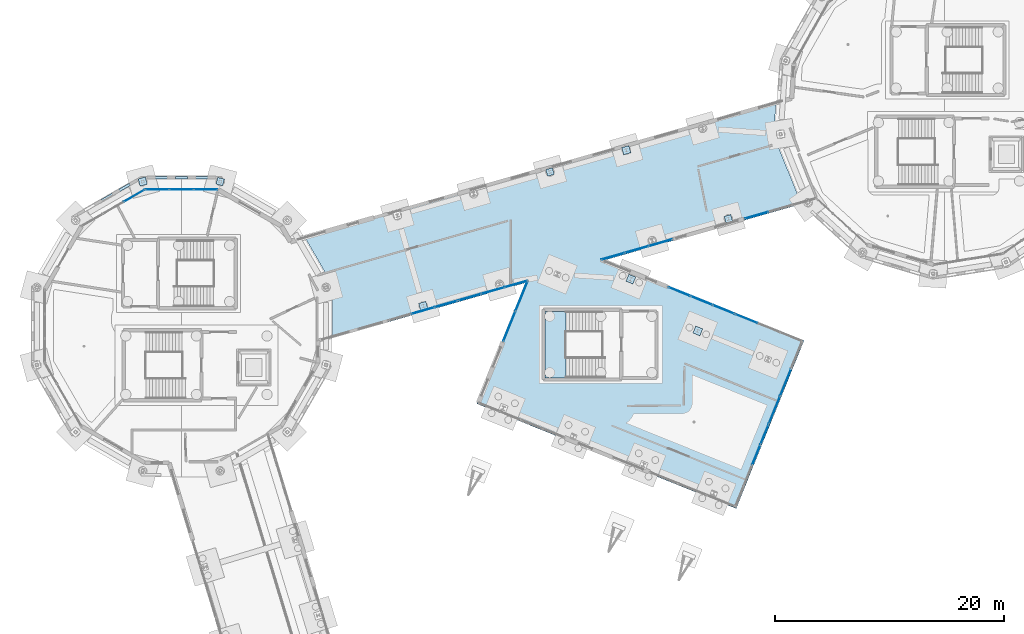
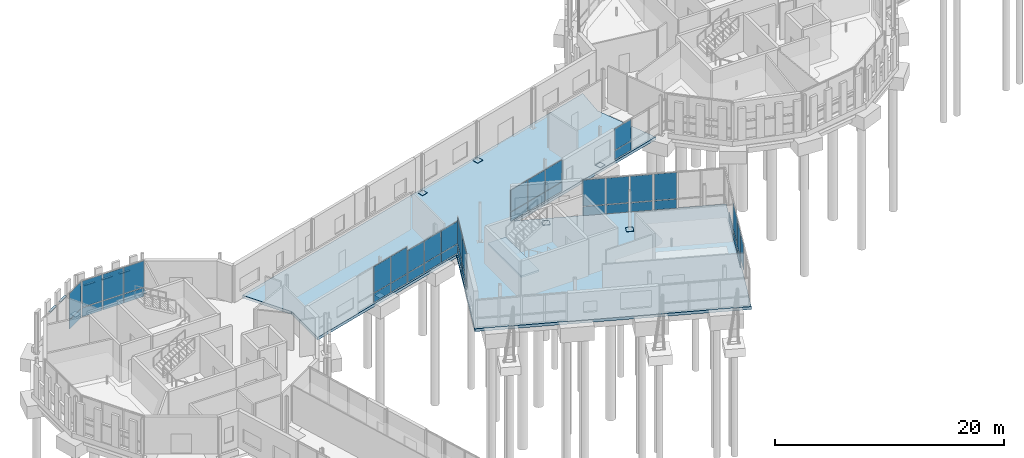
# One storey, part 68 of 113: 57 plates, 2 slabs, 12 elements without a shape of their own.
"""IFC4 building model written with IfcOpenShell, lengths in metres."""

from ifc_helpers import new_model, si_unit, direction, frame, origin, origin_2d, place, context, subcontext, project, spatial, polyline, rectangle, outline, extrude, material, layer, layer_set, type_object, element, aggregate, save


model = new_model("IFC4")

# Units and contexts
model_context = context("Model", 3, precision=1e-05, world=origin(), true_north=direction((0.0, 1.0)))
body_context = subcontext(model_context, "Body", "Model", "MODEL_VIEW")
ifc_project = project(units=[si_unit("LENGTHUNIT", "METRE"), si_unit("AREAUNIT", "SQUARE_METRE"), si_unit("VOLUMEUNIT", "CUBIC_METRE"), si_unit("PLANEANGLEUNIT", "RADIAN"), si_unit("MASSUNIT", "GRAM", prefix="KILO")], contexts=[model_context])

# Site, building, storey
site_placement = place(None, origin())
site = spatial("IfcSite", under=ifc_project, at=site_placement, CompositionType="ELEMENT")
building_placement = place(site_placement, origin())
building = spatial("IfcBuilding", under=site, at=building_placement, Name="Wrenclough Park School", CompositionType="ELEMENT")
storey_placement = place(building_placement, origin())
storey = spatial("IfcBuildingStorey", under=building, at=storey_placement, Name="L00", CompositionType="ELEMENT", Elevation=0.0)

# Curtain wall, plates
ifc_material_1 = material(Name="Thermally broken aluminium and low-e glass curtain wall", Category="aluminium")
curtain_wall_type_1 = type_object("IfcCurtainWallType", Name="ENV-CW-09", PredefinedType="USERDEFINED", material=ifc_material_1)
curtain_wall_1_placement = place(storey_placement, origin())
curtain_wall_1 = element("IfcCurtainWall", 1, at=curtain_wall_1_placement, inside=storey, type_object=curtain_wall_type_1, Name="L00 recessed curtain wall assembly 072", ObjectType="CURTAIN WALL", PredefinedType="USERDEFINED")
ifc_material_2 = material(Name="Double-glazed solar-control low-e glass", Category="glass")
ifc_layer_1 = layer(ifc_material_2, 0.02587890625)
ifc_layer_set_1 = layer_set([ifc_layer_1], Name="Double-glazed solar-control low-e glass")
plate_type_1 = type_object("IfcPlateType", Name="ENV-CWP-GL26", PredefinedType="CURTAIN_PANEL", material=ifc_layer_set_1)
plate_1_placement = place(storey_placement, frame((65.75244140625, 90.15283203125, 0.06005859375), z_axis=(0.0, 0.0, 1.0), x_axis=(0.927183906329, -0.3746064653, 0.0)))
plate_1 = element("IfcPlate", 2, at=plate_1_placement, type_object=plate_type_1, Name="CW-09 panel 1.1", PredefinedType="CURTAIN_PANEL", context=body_context, shape_type="SweptSolid", body=[
    extrude(rectangle(XDim=2.011962890625, YDim=0.02587890625, at=origin_2d()), origin(), (0.0, 0.0, 1.0), 0.9599609375),
])
plate_2_placement = place(storey_placement, frame((65.75244140625, 90.15283203125, 1.080078125), z_axis=(0.0, 0.0, 1.0), x_axis=(0.927183906329, -0.3746064653, 0.0)))
plate_2 = element("IfcPlate", 3, at=plate_2_placement, type_object=plate_type_1, Name="CW-09 panel 1.2", PredefinedType="CURTAIN_PANEL", context=body_context, shape_type="SweptSolid", body=[
    extrude(rectangle(XDim=2.011962890625, YDim=0.02587890625, at=origin_2d()), origin(), (0.0, 0.0, 1.0), 2.800048828125),
])
aggregate(curtain_wall_1, [plate_1, plate_2])

curtain_wall_type_2 = type_object("IfcCurtainWallType", Name="ENV-CW-10", PredefinedType="USERDEFINED", material=ifc_material_1)
curtain_wall_2_placement = place(storey_placement, origin())
curtain_wall_2 = element("IfcCurtainWall", 4, at=curtain_wall_2_placement, inside=storey, type_object=curtain_wall_type_2, Name="L00 recessed curtain wall assembly 009", ObjectType="CURTAIN WALL", PredefinedType="USERDEFINED")
ifc_material_3 = material(Name="Double-glazed acoustic low-e glass", Category="glass")
ifc_layer_2 = layer(ifc_material_3, 0.030029296875)
ifc_layer_set_2 = layer_set([ifc_layer_2], Name="Double-glazed acoustic low-e glass")
plate_type_2 = type_object("IfcPlateType", Name="ENV-CWP-GL30", PredefinedType="CURTAIN_PANEL", material=ifc_layer_set_2)
plate_3_placement = place(storey_placement, frame((12.37353515625, 100.865234375, 0.06005859375), z_axis=(0.0, 0.0, 1.0), x_axis=(0.86602591075, 0.499999121909, 0.0)))
plate_3 = element("IfcPlate", 5, at=plate_3_placement, type_object=plate_type_2, Name="CW-10 panel 3.1", PredefinedType="CURTAIN_PANEL", context=body_context, shape_type="SweptSolid", body=[
    extrude(rectangle(XDim=2.0341796875, YDim=0.030029296875, at=origin_2d()), origin(), (0.0, 0.0, 1.0), 0.9599609375),
])
plate_4_placement = place(storey_placement, frame((12.37353515625, 100.865234375, 1.080078125), z_axis=(0.0, 0.0, 1.0), x_axis=(0.86602591075, 0.499999121909, 0.0)))
plate_4 = element("IfcPlate", 6, at=plate_4_placement, type_object=plate_type_2, Name="CW-10 panel 3.2", PredefinedType="CURTAIN_PANEL", context=body_context, shape_type="SweptSolid", body=[
    extrude(rectangle(XDim=2.0341796875, YDim=0.030029296875, at=origin_2d()), origin(), (0.0, 0.0, 1.0), 2.800048828125),
])
aggregate(curtain_wall_2, [plate_3, plate_4])

curtain_wall_3_placement = place(storey_placement, origin())
curtain_wall_3 = element("IfcCurtainWall", 7, at=curtain_wall_3_placement, inside=storey, type_object=curtain_wall_type_2, Name="L00 recessed curtain wall assembly 073", ObjectType="CURTAIN WALL", PredefinedType="USERDEFINED")
plate_5_placement = place(storey_placement, frame((69.157470703125, 84.58154296875, 0.06494140625), z_axis=(0.0, 0.0, 1.0), x_axis=(-0.374589627082, -0.92719070923, 0.0)))
plate_5 = element("IfcPlate", 8, at=plate_5_placement, type_object=plate_type_2, Name="CW-10 panel 2.1", PredefinedType="CURTAIN_PANEL", context=body_context, shape_type="SweptSolid", body=[
    extrude(rectangle(XDim=2.525634765625, YDim=0.030029296875, at=origin_2d()), origin(), (0.0, 0.0, 1.0), 0.952392578125),
])
plate_6_placement = place(storey_placement, frame((68.193115234375, 82.194580078125, 0.06494140625), z_axis=(0.0, 0.0, 1.0), x_axis=(-0.374589627082, -0.92719070923, 0.0)))
plate_6 = element("IfcPlate", 9, at=plate_6_placement, type_object=plate_type_2, Name="CW-10 panel 3.1", PredefinedType="CURTAIN_PANEL", context=body_context, shape_type="SweptSolid", body=[
    extrude(rectangle(XDim=2.4931640625, YDim=0.030029296875, at=origin_2d()), origin(), (0.0, 0.0, 1.0), 0.952392578125),
])
plate_7_placement = place(storey_placement, frame((68.193115234375, 82.194580078125, 1.08251953125), z_axis=(0.0, 0.0, 1.0), x_axis=(-0.374589627082, -0.92719070923, 0.0)))
plate_7 = element("IfcPlate", 10, at=plate_7_placement, type_object=plate_type_2, Name="CW-10 panel 3.2", PredefinedType="CURTAIN_PANEL", context=body_context, shape_type="SweptSolid", body=[
    extrude(rectangle(XDim=2.4931640625, YDim=0.030029296875, at=origin_2d()), origin(), (0.0, 0.0, 1.0), 2.79248046875),
])
aggregate(curtain_wall_3, [plate_5, plate_6, plate_7])

curtain_wall_type_3 = type_object("IfcCurtainWallType", Name="ENV-CW-11", PredefinedType="USERDEFINED", material=ifc_material_1)
curtain_wall_4_placement = place(storey_placement, origin())
curtain_wall_4 = element("IfcCurtainWall", 11, at=curtain_wall_4_placement, inside=storey, type_object=curtain_wall_type_3, Name="L00 recessed curtain wall assembly 010", ObjectType="CURTAIN WALL", PredefinedType="USERDEFINED")
ifc_material_4 = material(Name="Triple-glazed senior-lab low-e glass", Category="glass")
ifc_layer_3 = layer(ifc_material_4, 0.033935546875)
ifc_layer_set_3 = layer_set([ifc_layer_3], Name="Triple-glazed senior-lab low-e glass")
plate_type_3 = type_object("IfcPlateType", Name="ENV-CWP-GL34", PredefinedType="CURTAIN_PANEL", material=ifc_layer_set_3)
plate_8_placement = place(storey_placement, frame((14.39208984375, 101.40576171875, 0.06494140625), z_axis=(0.0, 0.0, 1.0), x_axis=(1.0, 0.0, 0.0)))
plate_8 = element("IfcPlate", 12, at=plate_8_placement, type_object=plate_type_3, Name="CW-11 panel 1.1", PredefinedType="CURTAIN_PANEL", context=body_context, shape_type="SweptSolid", body=[
    extrude(rectangle(XDim=2.026611328125, YDim=0.033935546875, at=origin_2d()), origin(), (0.0, 0.0, 1.0), 0.952392578125),
])
plate_9_placement = place(storey_placement, frame((14.39208984375, 101.40576171875, 1.08251953125), z_axis=(0.0, 0.0, 1.0), x_axis=(1.0, 0.0, 0.0)))
plate_9 = element("IfcPlate", 13, at=plate_9_placement, type_object=plate_type_3, Name="CW-11 panel 1.2", PredefinedType="CURTAIN_PANEL", context=body_context, shape_type="SweptSolid", body=[
    extrude(rectangle(XDim=2.026611328125, YDim=0.033935546875, at=origin_2d()), origin(), (0.0, 0.0, 1.0), 2.79248046875),
])
plate_10_placement = place(storey_placement, frame((16.5, 101.40576171875, 0.06494140625), z_axis=(0.0, 0.0, 1.0), x_axis=(1.0, 0.0, 0.0)))
plate_10 = element("IfcPlate", 14, at=plate_10_placement, type_object=plate_type_3, Name="CW-11 panel 2.1", PredefinedType="CURTAIN_PANEL", context=body_context, shape_type="SweptSolid", body=[
    extrude(rectangle(XDim=2.05908203125, YDim=0.033935546875, at=origin_2d()), origin(), (0.0, 0.0, 1.0), 0.952392578125),
])
plate_11_placement = place(storey_placement, frame((16.5, 101.40576171875, 1.08251953125), z_axis=(0.0, 0.0, 1.0), x_axis=(1.0, 0.0, 0.0)))
plate_11 = element("IfcPlate", 15, at=plate_11_placement, type_object=plate_type_3, Name="CW-11 panel 2.2", PredefinedType="CURTAIN_PANEL", context=body_context, shape_type="SweptSolid", body=[
    extrude(rectangle(XDim=2.05908203125, YDim=0.033935546875, at=origin_2d()), origin(), (0.0, 0.0, 1.0), 2.79248046875),
])
plate_12_placement = place(storey_placement, frame((18.60791015625, 101.40576171875, 0.06494140625), z_axis=(0.0, 0.0, 1.0), x_axis=(1.0, 0.0, 0.0)))
plate_12 = element("IfcPlate", 16, at=plate_12_placement, type_object=plate_type_3, Name="CW-11 panel 3.1", PredefinedType="CURTAIN_PANEL", context=body_context, shape_type="SweptSolid", body=[
    extrude(rectangle(XDim=2.026611328125, YDim=0.033935546875, at=origin_2d()), origin(), (0.0, 0.0, 1.0), 0.952392578125),
])
plate_13_placement = place(storey_placement, frame((18.60791015625, 101.40576171875, 1.08251953125), z_axis=(0.0, 0.0, 1.0), x_axis=(1.0, 0.0, 0.0)))
plate_13 = element("IfcPlate", 17, at=plate_13_placement, type_object=plate_type_3, Name="CW-11 panel 3.2", PredefinedType="CURTAIN_PANEL", context=body_context, shape_type="SweptSolid", body=[
    extrude(rectangle(XDim=2.026611328125, YDim=0.033935546875, at=origin_2d()), origin(), (0.0, 0.0, 1.0), 2.79248046875),
])
aggregate(curtain_wall_4, [plate_8, plate_9, plate_10, plate_11, plate_12, plate_13])

curtain_wall_5_placement = place(storey_placement, origin())
curtain_wall_5 = element("IfcCurtainWall", 18, at=curtain_wall_5_placement, inside=storey, type_object=curtain_wall_type_3, Name="L00 recessed curtain wall assembly 074", ObjectType="CURTAIN WALL", PredefinedType="USERDEFINED")
plate_14_placement = place(storey_placement, frame((67.328369140625, 80.05419921875, 0.06982421875), z_axis=(0.0, 0.0, 1.0), x_axis=(-0.374600688333, -0.927186240353, 0.0)))
plate_14 = element("IfcPlate", 19, at=plate_14_placement, type_object=plate_type_3, Name="CW-11 panel 1.1", PredefinedType="CURTAIN_PANEL", context=body_context, shape_type="SweptSolid", body=[
    extrude(rectangle(XDim=1.837890625, YDim=0.033935546875, at=origin_2d()), origin(), (0.0, 0.0, 1.0), 0.945068359375),
])
plate_15_placement = place(storey_placement, frame((67.328369140625, 80.05419921875, 1.0849609375), z_axis=(0.0, 0.0, 1.0), x_axis=(-0.374600688333, -0.927186240353, 0.0)))
plate_15 = element("IfcPlate", 20, at=plate_15_placement, type_object=plate_type_3, Name="CW-11 panel 1.2", PredefinedType="CURTAIN_PANEL", context=body_context, shape_type="SweptSolid", body=[
    extrude(rectangle(XDim=1.837890625, YDim=0.033935546875, at=origin_2d()), origin(), (0.0, 0.0, 1.0), 2.784912109375),
])
plate_16_placement = place(storey_placement, frame((66.607177734375, 78.268798828125, 1.0849609375), z_axis=(0.0, 0.0, 1.0), x_axis=(-0.374600688333, -0.927186240353, 0.0)))
plate_16 = element("IfcPlate", 21, at=plate_16_placement, type_object=plate_type_3, Name="CW-11 panel 2.2", PredefinedType="CURTAIN_PANEL", context=body_context, shape_type="SweptSolid", body=[
    extrude(rectangle(XDim=1.873046875, YDim=0.033935546875, at=origin_2d()), origin(), (0.0, 0.0, 1.0), 2.784912109375),
])
aggregate(curtain_wall_5, [plate_14, plate_15, plate_16])

curtain_wall_type_4 = type_object("IfcCurtainWallType", Name="ENV-CW-06", PredefinedType="USERDEFINED", material=ifc_material_1)
curtain_wall_6_placement = place(storey_placement, origin())
curtain_wall_6 = element("IfcCurtainWall", 22, at=curtain_wall_6_placement, inside=storey, type_object=curtain_wall_type_4, Name="L00 recessed curtain wall assembly 069", ObjectType="CURTAIN WALL", PredefinedType="USERDEFINED")
ifc_material_5 = material(Name="Insulated anodised aluminium spandrel panel", Category="aluminium")
ifc_layer_4 = layer(ifc_material_5, 0.0419921875)
ifc_layer_set_4 = layer_set([ifc_layer_4], Name="Insulated anodised aluminium spandrel panel")
plate_type_4 = type_object("IfcPlateType", Name="ENV-CWP-SP42", PredefinedType="CURTAIN_PANEL", material=ifc_layer_set_4)
plate_17_placement = place(storey_placement, frame((66.628173828125, 99.1630859375, 0.06005859375), z_axis=(0.0, 0.0, 1.0), x_axis=(-0.961523367152, -0.274723159598, 0.0)))
plate_17 = element("IfcPlate", 23, at=plate_17_placement, type_object=plate_type_4, Name="CW-06 panel 3.1", PredefinedType="CURTAIN_PANEL", context=body_context, shape_type="SweptSolid", body=[
    extrude(rectangle(XDim=2.076904296875, YDim=0.0419921875, at=origin_2d()), origin(), (0.0, 0.0, 1.0), 0.9599609375),
])
plate_18_placement = place(storey_placement, frame((66.628173828125, 99.1630859375, 1.080078125), z_axis=(0.0, 0.0, 1.0), x_axis=(-0.961523367152, -0.274723159598, 0.0)))
plate_18 = element("IfcPlate", 24, at=plate_18_placement, type_object=plate_type_4, Name="CW-06 panel 3.2", PredefinedType="CURTAIN_PANEL", context=body_context, shape_type="SweptSolid", body=[
    extrude(rectangle(XDim=2.076904296875, YDim=0.0419921875, at=origin_2d()), origin(), (0.0, 0.0, 1.0), 2.2587890625),
])
aggregate(curtain_wall_6, [plate_17, plate_18])

curtain_wall_type_5 = type_object("IfcCurtainWallType", Name="ENV-CW-14", PredefinedType="USERDEFINED", material=ifc_material_1)
curtain_wall_7_placement = place(storey_placement, origin())
curtain_wall_7 = element("IfcCurtainWall", 25, at=curtain_wall_7_placement, inside=storey, type_object=curtain_wall_type_5, Name="L00 recessed curtain wall assembly 077", ObjectType="CURTAIN WALL", PredefinedType="USERDEFINED")
plate_19_placement = place(storey_placement, frame((45.0830078125, 89.489013671875, 0.06982421875), z_axis=(0.0, 0.0, 1.0), x_axis=(0.374603668605, 0.927185036262, 0.0)))
plate_19 = element("IfcPlate", 26, at=plate_19_placement, type_object=plate_type_4, Name="CW-14 panel 1.1", PredefinedType="CURTAIN_PANEL", context=body_context, shape_type="SweptSolid", body=[
    extrude(rectangle(XDim=2.763916015625, YDim=0.0419921875, at=origin_2d()), origin(), (0.0, 0.0, 1.0), 0.945068359375),
])
plate_20_placement = place(storey_placement, frame((45.0830078125, 89.489013671875, 1.0849609375), z_axis=(0.0, 0.0, 1.0), x_axis=(0.374603668605, 0.927185036262, 0.0)))
plate_20 = element("IfcPlate", 27, at=plate_20_placement, type_object=plate_type_4, Name="CW-14 panel 1.2", PredefinedType="CURTAIN_PANEL", context=body_context, shape_type="SweptSolid", body=[
    extrude(rectangle(XDim=2.763916015625, YDim=0.0419921875, at=origin_2d()), origin(), (0.0, 0.0, 1.0), 2.784912109375),
])
plate_21_placement = place(storey_placement, frame((46.14453125, 92.116455078125, 0.06982421875), z_axis=(0.0, 0.0, 1.0), x_axis=(0.374603668605, 0.927185036262, 0.0)))
plate_21 = element("IfcPlate", 28, at=plate_21_placement, type_object=plate_type_4, Name="CW-14 panel 2.1", PredefinedType="CURTAIN_PANEL", context=body_context, shape_type="SweptSolid", body=[
    extrude(rectangle(XDim=2.763916015625, YDim=0.0419921875, at=origin_2d()), origin(), (0.0, 0.0, 1.0), 0.945068359375),
])
plate_22_placement = place(storey_placement, frame((46.14453125, 92.116455078125, 1.0849609375), z_axis=(0.0, 0.0, 1.0), x_axis=(0.374603668605, 0.927185036262, 0.0)))
plate_22 = element("IfcPlate", 29, at=plate_22_placement, type_object=plate_type_4, Name="CW-14 panel 2.2", PredefinedType="CURTAIN_PANEL", context=body_context, shape_type="SweptSolid", body=[
    extrude(rectangle(XDim=2.763916015625, YDim=0.0419921875, at=origin_2d()), origin(), (0.0, 0.0, 1.0), 2.784912109375),
])
aggregate(curtain_wall_7, [plate_19, plate_20, plate_21, plate_22])

curtain_wall_type_6 = type_object("IfcCurtainWallType", Name="ENV-CW-07", PredefinedType="USERDEFINED", material=ifc_material_1)
curtain_wall_8_placement = place(storey_placement, origin())
curtain_wall_8 = element("IfcCurtainWall", 30, at=curtain_wall_8_placement, inside=storey, type_object=curtain_wall_type_6, Name="L00 recessed curtain wall assembly 070", ObjectType="CURTAIN WALL", PredefinedType="USERDEFINED")
ifc_material_6 = material(Name="Insulated patinated copper-toned spandrel panel", Category="aluminium")
ifc_layer_5 = layer(ifc_material_6, 0.048095703125)
ifc_layer_set_5 = layer_set([ifc_layer_5], Name="Insulated patinated copper-toned spandrel panel")
plate_type_5 = type_object("IfcPlateType", Name="ENV-CWP-SP48", PredefinedType="CURTAIN_PANEL", material=ifc_layer_set_5)
plate_23_placement = place(storey_placement, frame((58.248779296875, 96.76904296875, 0.06494140625), z_axis=(0.0, 0.0, 1.0), x_axis=(-0.961523367152, -0.274723159598, 0.0)))
plate_23 = element("IfcPlate", 31, at=plate_23_placement, type_object=plate_type_5, Name="CW-07 panel 1.1", PredefinedType="CURTAIN_PANEL", context=body_context, shape_type="SweptSolid", body=[
    extrude(rectangle(XDim=2.0693359375, YDim=0.048095703125, at=origin_2d()), origin(), (0.0, 0.0, 1.0), 0.952392578125),
])
plate_24_placement = place(storey_placement, frame((58.248779296875, 96.76904296875, 1.08251953125), z_axis=(0.0, 0.0, 1.0), x_axis=(-0.961523367152, -0.274723159598, 0.0)))
plate_24 = element("IfcPlate", 32, at=plate_24_placement, type_object=plate_type_5, Name="CW-07 panel 1.2", PredefinedType="CURTAIN_PANEL", context=body_context, shape_type="SweptSolid", body=[
    extrude(rectangle(XDim=2.0693359375, YDim=0.048095703125, at=origin_2d()), origin(), (0.0, 0.0, 1.0), 2.29443359375),
])
plate_25_placement = place(storey_placement, frame((56.180908203125, 96.17822265625, 0.06494140625), z_axis=(0.0, 0.0, 1.0), x_axis=(-0.961523367152, -0.274723159598, 0.0)))
plate_25 = element("IfcPlate", 33, at=plate_25_placement, type_object=plate_type_5, Name="CW-07 panel 2.1", PredefinedType="CURTAIN_PANEL", context=body_context, shape_type="SweptSolid", body=[
    extrude(rectangle(XDim=2.101806640625, YDim=0.048095703125, at=origin_2d()), origin(), (0.0, 0.0, 1.0), 0.952392578125),
])
plate_26_placement = place(storey_placement, frame((56.180908203125, 96.17822265625, 1.08251953125), z_axis=(0.0, 0.0, 1.0), x_axis=(-0.961523367152, -0.274723159598, 0.0)))
plate_26 = element("IfcPlate", 34, at=plate_26_placement, type_object=plate_type_5, Name="CW-07 panel 2.2", PredefinedType="CURTAIN_PANEL", context=body_context, shape_type="SweptSolid", body=[
    extrude(rectangle(XDim=2.101806640625, YDim=0.048095703125, at=origin_2d()), origin(), (0.0, 0.0, 1.0), 2.29443359375),
])
plate_27_placement = place(storey_placement, frame((54.113037109375, 95.58740234375, 0.06494140625), z_axis=(0.0, 0.0, 1.0), x_axis=(-0.961523367152, -0.274723159598, 0.0)))
plate_27 = element("IfcPlate", 35, at=plate_27_placement, type_object=plate_type_5, Name="CW-07 panel 3.1", PredefinedType="CURTAIN_PANEL", context=body_context, shape_type="SweptSolid", body=[
    extrude(rectangle(XDim=2.0693359375, YDim=0.048095703125, at=origin_2d()), origin(), (0.0, 0.0, 1.0), 0.952392578125),
])
plate_28_placement = place(storey_placement, frame((54.113037109375, 95.58740234375, 1.08251953125), z_axis=(0.0, 0.0, 1.0), x_axis=(-0.961523367152, -0.274723159598, 0.0)))
plate_28 = element("IfcPlate", 36, at=plate_28_placement, type_object=plate_type_5, Name="CW-07 panel 3.2", PredefinedType="CURTAIN_PANEL", context=body_context, shape_type="SweptSolid", body=[
    extrude(rectangle(XDim=2.0693359375, YDim=0.048095703125, at=origin_2d()), origin(), (0.0, 0.0, 1.0), 2.29443359375),
])
aggregate(curtain_wall_8, [plate_23, plate_24, plate_25, plate_26, plate_27, plate_28])

curtain_wall_type_7 = type_object("IfcCurtainWallType", Name="ENV-CW-15", PredefinedType="USERDEFINED", material=ifc_material_1)
curtain_wall_9_placement = place(storey_placement, origin())
curtain_wall_9 = element("IfcCurtainWall", 37, at=curtain_wall_9_placement, inside=storey, type_object=curtain_wall_type_7, Name="L00 recessed curtain wall assembly 078", ObjectType="CURTAIN WALL", PredefinedType="USERDEFINED")
plate_29_placement = place(storey_placement, frame((45.6572265625, 93.17138671875, 0.06005859375), z_axis=(0.0, 0.0, 1.0), x_axis=(-0.961526927991, -0.274710696459, 0.0)))
plate_29 = element("IfcPlate", 38, at=plate_29_placement, type_object=plate_type_5, Name="CW-15 panel 1.1", PredefinedType="CURTAIN_PANEL", context=body_context, shape_type="SweptSolid", body=[
    extrude(rectangle(XDim=2.020263671875, YDim=0.048095703125, at=origin_2d()), origin(), (0.0, 0.0, 1.0), 0.9599609375),
])
plate_30_placement = place(storey_placement, frame((45.6572265625, 93.17138671875, 1.080078125), z_axis=(0.0, 0.0, 1.0), x_axis=(-0.961526927991, -0.274710696459, 0.0)))
plate_30 = element("IfcPlate", 39, at=plate_30_placement, type_object=plate_type_5, Name="CW-15 panel 1.2", PredefinedType="CURTAIN_PANEL", context=body_context, shape_type="SweptSolid", body=[
    extrude(rectangle(XDim=2.020263671875, YDim=0.048095703125, at=origin_2d()), origin(), (0.0, 0.0, 1.0), 2.3486328125),
])
plate_31_placement = place(storey_placement, frame((43.642578125, 92.595703125, 0.06005859375), z_axis=(0.0, 0.0, 1.0), x_axis=(-0.961526927991, -0.274710696459, 0.0)))
plate_31 = element("IfcPlate", 40, at=plate_31_placement, type_object=plate_type_5, Name="CW-15 panel 2.1", PredefinedType="CURTAIN_PANEL", context=body_context, shape_type="SweptSolid", body=[
    extrude(rectangle(XDim=2.05029296875, YDim=0.048095703125, at=origin_2d()), origin(), (0.0, 0.0, 1.0), 0.9599609375),
])
plate_32_placement = place(storey_placement, frame((43.642578125, 92.595703125, 1.080078125), z_axis=(0.0, 0.0, 1.0), x_axis=(-0.961526927991, -0.274710696459, 0.0)))
plate_32 = element("IfcPlate", 41, at=plate_32_placement, type_object=plate_type_5, Name="CW-15 panel 2.2", PredefinedType="CURTAIN_PANEL", context=body_context, shape_type="SweptSolid", body=[
    extrude(rectangle(XDim=2.05029296875, YDim=0.048095703125, at=origin_2d()), origin(), (0.0, 0.0, 1.0), 2.3486328125),
])
plate_33_placement = place(storey_placement, frame((41.6279296875, 92.020263671875, 0.06005859375), z_axis=(0.0, 0.0, 1.0), x_axis=(-0.961526927991, -0.274710696459, 0.0)))
plate_33 = element("IfcPlate", 42, at=plate_33_placement, type_object=plate_type_5, Name="CW-15 panel 3.1", PredefinedType="CURTAIN_PANEL", context=body_context, shape_type="SweptSolid", body=[
    extrude(rectangle(XDim=2.020263671875, YDim=0.048095703125, at=origin_2d()), origin(), (0.0, 0.0, 1.0), 0.9599609375),
])
plate_34_placement = place(storey_placement, frame((41.6279296875, 92.020263671875, 1.080078125), z_axis=(0.0, 0.0, 1.0), x_axis=(-0.961526927991, -0.274710696459, 0.0)))
plate_34 = element("IfcPlate", 43, at=plate_34_placement, type_object=plate_type_5, Name="CW-15 panel 3.2", PredefinedType="CURTAIN_PANEL", context=body_context, shape_type="SweptSolid", body=[
    extrude(rectangle(XDim=2.020263671875, YDim=0.048095703125, at=origin_2d()), origin(), (0.0, 0.0, 1.0), 2.3486328125),
])
aggregate(curtain_wall_9, [plate_29, plate_30, plate_31, plate_32, plate_33, plate_34])

curtain_wall_type_8 = type_object("IfcCurtainWallType", Name="ENV-CW-08", PredefinedType="USERDEFINED", material=ifc_material_1)
curtain_wall_10_placement = place(storey_placement, origin())
curtain_wall_10 = element("IfcCurtainWall", 44, at=curtain_wall_10_placement, inside=storey, type_object=curtain_wall_type_8, Name="L00 recessed curtain wall assembly 071", ObjectType="CURTAIN WALL", PredefinedType="USERDEFINED")
ifc_material_7 = material(Name="Acoustic mineral-wool spandrel cassette", Category="aluminium")
ifc_layer_6 = layer(ifc_material_7, 0.053955078125)
ifc_layer_set_6 = layer_set([ifc_layer_6], Name="Acoustic mineral-wool spandrel cassette")
plate_type_6 = type_object("IfcPlateType", Name="ENV-CWP-SP54", PredefinedType="CURTAIN_PANEL", material=ifc_layer_set_6)
plate_35_placement = place(storey_placement, frame((59.900390625, 92.51708984375, 0.06982421875), z_axis=(0.0, 0.0, 1.0), x_axis=(0.927189414101, -0.374592832791, 0.0)))
plate_35 = element("IfcPlate", 45, at=plate_35_placement, type_object=plate_type_6, Name="CW-08 panel 1.1", PredefinedType="CURTAIN_PANEL", context=body_context, shape_type="SweptSolid", body=[
    extrude(rectangle(XDim=1.9970703125, YDim=0.053955078125, at=origin_2d()), origin(), (0.0, 0.0, 1.0), 0.945068359375),
])
plate_36_placement = place(storey_placement, frame((59.900390625, 92.51708984375, 1.0849609375), z_axis=(0.0, 0.0, 1.0), x_axis=(0.927189414101, -0.374592832791, 0.0)))
plate_36 = element("IfcPlate", 46, at=plate_36_placement, type_object=plate_type_6, Name="CW-08 panel 1.2", PredefinedType="CURTAIN_PANEL", context=body_context, shape_type="SweptSolid", body=[
    extrude(rectangle(XDim=1.9970703125, YDim=0.053955078125, at=origin_2d()), origin(), (0.0, 0.0, 1.0), 2.784912109375),
])
plate_37_placement = place(storey_placement, frame((61.833251953125, 91.736083984375, 0.06982421875), z_axis=(0.0, 0.0, 1.0), x_axis=(0.927189414101, -0.374592832791, 0.0)))
plate_37 = element("IfcPlate", 47, at=plate_37_placement, type_object=plate_type_6, Name="CW-08 panel 2.1", PredefinedType="CURTAIN_PANEL", context=body_context, shape_type="SweptSolid", body=[
    extrude(rectangle(XDim=2.031982421875, YDim=0.053955078125, at=origin_2d()), origin(), (0.0, 0.0, 1.0), 0.945068359375),
])
plate_38_placement = place(storey_placement, frame((61.833251953125, 91.736083984375, 1.0849609375), z_axis=(0.0, 0.0, 1.0), x_axis=(0.927189414101, -0.374592832791, 0.0)))
plate_38 = element("IfcPlate", 48, at=plate_38_placement, type_object=plate_type_6, Name="CW-08 panel 2.2", PredefinedType="CURTAIN_PANEL", context=body_context, shape_type="SweptSolid", body=[
    extrude(rectangle(XDim=2.031982421875, YDim=0.053955078125, at=origin_2d()), origin(), (0.0, 0.0, 1.0), 2.784912109375),
])
plate_39_placement = place(storey_placement, frame((63.765869140625, 90.955322265625, 0.06982421875), z_axis=(0.0, 0.0, 1.0), x_axis=(0.927189414101, -0.374592832791, 0.0)))
plate_39 = element("IfcPlate", 49, at=plate_39_placement, type_object=plate_type_6, Name="CW-08 panel 3.1", PredefinedType="CURTAIN_PANEL", context=body_context, shape_type="SweptSolid", body=[
    extrude(rectangle(XDim=1.9970703125, YDim=0.053955078125, at=origin_2d()), origin(), (0.0, 0.0, 1.0), 0.945068359375),
])
plate_40_placement = place(storey_placement, frame((63.765869140625, 90.955322265625, 1.0849609375), z_axis=(0.0, 0.0, 1.0), x_axis=(0.927189414101, -0.374592832791, 0.0)))
plate_40 = element("IfcPlate", 50, at=plate_40_placement, type_object=plate_type_6, Name="CW-08 panel 3.2", PredefinedType="CURTAIN_PANEL", context=body_context, shape_type="SweptSolid", body=[
    extrude(rectangle(XDim=1.9970703125, YDim=0.053955078125, at=origin_2d()), origin(), (0.0, 0.0, 1.0), 2.784912109375),
])
aggregate(curtain_wall_10, [plate_35, plate_36, plate_37, plate_38, plate_39, plate_40])

curtain_wall_type_9 = type_object("IfcCurtainWallType", Name="ENV-CW-16", PredefinedType="USERDEFINED", material=ifc_material_1)
curtain_wall_11_placement = place(storey_placement, origin())
curtain_wall_11 = element("IfcCurtainWall", 51, at=curtain_wall_11_placement, inside=storey, type_object=curtain_wall_type_9, Name="L00 recessed curtain wall assembly 079", ObjectType="CURTAIN WALL", PredefinedType="USERDEFINED")
plate_41_placement = place(storey_placement, frame((39.561279296875, 91.4296875, 0.06494140625), z_axis=(0.0, 0.0, 1.0), x_axis=(-0.96152394764, -0.274721127899, 0.0)))
plate_41 = element("IfcPlate", 52, at=plate_41_placement, type_object=plate_type_6, Name="CW-16 panel 1.1", PredefinedType="CURTAIN_PANEL", context=body_context, shape_type="SweptSolid", body=[
    extrude(rectangle(XDim=2.0126953125, YDim=0.053955078125, at=origin_2d()), origin(), (0.0, 0.0, 1.0), 0.952392578125),
])
plate_42_placement = place(storey_placement, frame((39.561279296875, 91.4296875, 1.08251953125), z_axis=(0.0, 0.0, 1.0), x_axis=(-0.96152394764, -0.274721127899, 0.0)))
plate_42 = element("IfcPlate", 53, at=plate_42_placement, type_object=plate_type_6, Name="CW-16 panel 1.2", PredefinedType="CURTAIN_PANEL", context=body_context, shape_type="SweptSolid", body=[
    extrude(rectangle(XDim=2.0126953125, YDim=0.053955078125, at=origin_2d()), origin(), (0.0, 0.0, 1.0), 2.79248046875),
])
plate_43_placement = place(storey_placement, frame((37.5478515625, 90.8544921875, 0.06494140625), z_axis=(0.0, 0.0, 1.0), x_axis=(-0.96152394764, -0.274721127899, 0.0)))
plate_43 = element("IfcPlate", 54, at=plate_43_placement, type_object=plate_type_6, Name="CW-16 panel 2.1", PredefinedType="CURTAIN_PANEL", context=body_context, shape_type="SweptSolid", body=[
    extrude(rectangle(XDim=2.045166015625, YDim=0.053955078125, at=origin_2d()), origin(), (0.0, 0.0, 1.0), 0.952392578125),
])
plate_44_placement = place(storey_placement, frame((37.5478515625, 90.8544921875, 1.08251953125), z_axis=(0.0, 0.0, 1.0), x_axis=(-0.96152394764, -0.274721127899, 0.0)))
plate_44 = element("IfcPlate", 55, at=plate_44_placement, type_object=plate_type_6, Name="CW-16 panel 2.2", PredefinedType="CURTAIN_PANEL", context=body_context, shape_type="SweptSolid", body=[
    extrude(rectangle(XDim=2.045166015625, YDim=0.053955078125, at=origin_2d()), origin(), (0.0, 0.0, 1.0), 2.79248046875),
])
aggregate(curtain_wall_11, [plate_41, plate_42, plate_43, plate_44])

# Plates
ifc_material_8 = material(Name="Anodised architectural aluminium solar shading fin plate", Category="aluminium")
ifc_layer_7 = layer(ifc_material_8, 0.0380859375)
ifc_layer_set_7 = layer_set([ifc_layer_7], Name="Anodised architectural aluminium solar shading fin plate")
plate_type_7 = type_object("IfcPlateType", Name="ENV-PL-BSF", PredefinedType="SHEET", material=ifc_layer_set_7)
plate_45_placement = place(storey_placement, frame((18.260009765625, 102.45654296875, 2.4951171875), z_axis=(0.0, 0.0, 1.0), x_axis=(-1.0, 0.0, 0.0)))
element("IfcPlate", 56, at=plate_45_placement, inside=storey, type_object=plate_type_7, Name="D3 L00 open-bond brick screen tie band 0064", PredefinedType="SHEET", context=body_context, shape_type="SweptSolid", body=[
    extrude(rectangle(XDim=1.07080078125, YDim=0.219970703125, at=origin_2d()), origin(), (0.0, 0.0, 1.0), 0.0419921875),
])
plate_46_placement = place(storey_placement, frame((16.5, 102.45654296875, 2.4951171875), z_axis=(0.0, 0.0, 1.0), x_axis=(-1.0, 0.0, 0.0)))
element("IfcPlate", 57, at=plate_46_placement, inside=storey, type_object=plate_type_7, Name="D3 L00 open-bond brick screen tie band 0065", PredefinedType="SHEET", context=body_context, shape_type="SweptSolid", body=[
    extrude(rectangle(XDim=1.071044921875, YDim=0.219970703125, at=origin_2d()), origin(), (0.0, 0.0, 1.0), 0.0419921875),
])
plate_47_placement = place(storey_placement, frame((14.739990234375, 102.45654296875, 2.4951171875), z_axis=(0.0, 0.0, 1.0), x_axis=(-1.0, 0.0, 0.0)))
element("IfcPlate", 58, at=plate_47_placement, inside=storey, type_object=plate_type_7, Name="D3 L00 open-bond brick screen tie band 0066", PredefinedType="SHEET", context=body_context, shape_type="SweptSolid", body=[
    extrude(rectangle(XDim=1.07080078125, YDim=0.219970703125, at=origin_2d()), origin(), (0.0, 0.0, 1.0), 0.0419921875),
])
for number, where, z_axis, x_axis, name in (
    (59, (11.5458984375, 101.600830078125, 2.4951171875), (0.0, 0.0, 1.0), (-0.866030885401, -0.499990505441, 0.0), "D3 L00 open-bond brick screen tie band 0067"),
    (60, (10.021728515625, 100.720703125, 2.4951171875), (0.0, 0.0, 1.0), (-0.866030885401, -0.499990505441, 0.0), "D3 L00 open-bond brick screen tie band 0068"),
):
    element("IfcPlate", number, at=place(storey_placement, frame(where, z_axis=z_axis, x_axis=x_axis)), inside=storey, type_object=plate_type_7, Name=name, PredefinedType="SHEET", context=body_context, shape_type="SweptSolid", body=[
        extrude(rectangle(XDim=1.071044921875, YDim=0.219970703125, at=origin_2d()), origin(), (0.0, 0.0, 1.0), 0.0419921875),
    ])

# Stair, slab
ifc_material_9 = material(Name="Precast concrete C40/50", Category="concrete")
stair_type = type_object("IfcStairType", Name="INT-ST-180-42", PredefinedType="HALF_TURN_STAIR", material=ifc_material_9)
stair_placement = place(storey_placement, origin())
stair = element("IfcStair", 61, at=stair_placement, inside=storey, type_object=stair_type, Name="L00 escape stair ST-11", PredefinedType="HALF_TURN_STAIR")
ifc_layer_8 = layer(ifc_material_9, 0.195068359375)
ifc_layer_set_8 = layer_set([ifc_layer_8], Name="Precast concrete C40/50")
slab_type_1 = type_object("IfcSlabType", Name="INT-SL-LAND195", PredefinedType="LANDING", material=ifc_layer_set_8)
slab_1_placement = place(storey_placement, frame((0.0, 0.0, 1.989013671875)))
slab_1 = element("IfcSlab", 62, at=slab_1_placement, type_object=slab_type_1, Name="ST-11 landing 1", PredefinedType="LANDING", context=body_context, shape_type="SweptSolid", body=[
    extrude(outline(polyline([(48.199951171875, 85.0), (50.02294921875, 85.0), (50.02294921875, 90.800048828125), (48.199951171875, 90.800048828125), (48.199951171875, 85.0)])), origin(), (0.0, 0.0, 1.0), 0.195068359375),
])
aggregate(stair, [slab_1])

# Plates
ifc_material_10 = material(Name="Structural steel S355", Category="steel")
ifc_layer_9 = layer(ifc_material_10, 0.031982421875)
ifc_layer_set_9 = layer_set([ifc_layer_9], Name="Structural steel S355")
plate_type_8 = type_object("IfcPlateType", Name="STR-PL-BP1", PredefinedType="SHEET", material=ifc_layer_set_9)
for number, where, z_axis, x_axis, name in (
    (63, (61.5078125, 89.085205078125, 0.0), (0.0, 0.0, 1.0), (0.927183854567, -0.374606593416, 0.0), "Steel column baseplate EAVE-COURTYARD-B3"),
    (64, (13.122314453125, 102.105224609375, 0.0), (0.0, 0.0, 1.0), (-0.965925826289, -0.258819045103, 0.0), "Steel column baseplate D3-OUT-04"),
    (65, (37.576416015625, 91.2578125, 0.0), (0.0, 0.0, 1.0), (0.961501868857, 0.27479839189, 0.0), "Steel column baseplate W34-C1-R03"),
    (66, (55.273681640625, 104.84228515625, 0.0), (0.0, 0.0, 1.0), (0.961501868857, 0.27479839189, 0.0), "Steel column baseplate W34-C1-L06"),
    (67, (55.673828125, 93.59912109375, 0.0), (0.0, 0.0, 1.0), (0.927183854567, -0.374606593416, 0.0), "Steel column baseplate W34DP--4-7"),
):
    element("IfcPlate", number, at=place(storey_placement, frame(where, z_axis=z_axis, x_axis=x_axis)), inside=storey, type_object=plate_type_8, Name=name, PredefinedType="SHEET", context=body_context, shape_type="SweptSolid", body=[
        extrude(rectangle(XDim=0.64990234375, YDim=0.64990234375, at=origin_2d()), origin(), (0.0, 0.0, 1.0), 0.031982421875),
    ])
ifc_layer_10 = layer(ifc_material_10, 0.030029296875)
ifc_layer_set_10 = layer_set([ifc_layer_10], Name="Structural steel S355")
plate_type_9 = type_object("IfcPlateType", Name="STR-PL-BP4", PredefinedType="SHEET", material=ifc_layer_set_10)
for number, where, z_axis, x_axis, name in (
    (68, (19.877685546875, 102.105224609375, 0.0), (0.0, 0.0, 1.0), (-0.965925826289, 0.258819045103, 0.0), "Steel column baseplate D3-OUT-03"),
    (69, (48.62353515625, 102.942138671875, 0.0), (0.0, 0.0, 1.0), (0.961501868857, 0.27479839189, 0.0), "Steel column baseplate W34-C1-L05"),
    (70, (64.176513671875, 98.85791015625, 0.0), (0.0, 0.0, 1.0), (0.961501868857, 0.27479839189, 0.0), "Steel column baseplate W34-C1-R07"),
):
    element("IfcPlate", number, at=place(storey_placement, frame(where, z_axis=z_axis, x_axis=x_axis)), inside=storey, type_object=plate_type_9, Name=name, PredefinedType="SHEET", context=body_context, shape_type="SweptSolid", body=[
        extrude(rectangle(XDim=0.60009765625, YDim=0.60009765625, at=origin_2d()), origin(), (0.0, 0.0, 1.0), 0.030029296875),
    ])

# Slab
ifc_material_11 = material(Name="Concrete C35/45", Category="concrete")
ifc_layer_11 = layer(ifc_material_11, 0.300048828125)
ifc_layer_set_11 = layer_set([ifc_layer_11], Name="Concrete C35/45")
slab_type_2 = type_object("IfcSlabType", Name="STR-SL-BASE300", PredefinedType="BASESLAB", material=ifc_layer_set_11)
slab_2_placement = place(storey_placement, frame((0.0, 0.0, -0.300048828125)))
element("IfcSlab", 71, at=slab_2_placement, inside=storey, type_object=slab_type_2, Name="W34 L00 structural slab SLAB-W34-L00", PredefinedType="BASESLAB", context=body_context, shape_type="SweptSolid", body=[
    extrude(outline(polyline([(53.42041015625, 95.2646484375), (70.537109375, 100.155029296875), (68.1357421875, 106.1435546875), (68.332763671875, 109.093505859375), (27.19970703125, 97.341064453125), (29.68408203125, 93.035400390625), (29.6865234375, 88.483642578125), (46.486572265625, 93.283447265625), (42.22900390625, 82.745361328125), (64.852294921875, 73.60498046875), (70.77099609375, 88.254638671875), (53.42041015625, 95.2646484375)])), origin(), (0.0, 0.0, 1.0), 0.300048828125),
])

save(model, "model.ifc")
